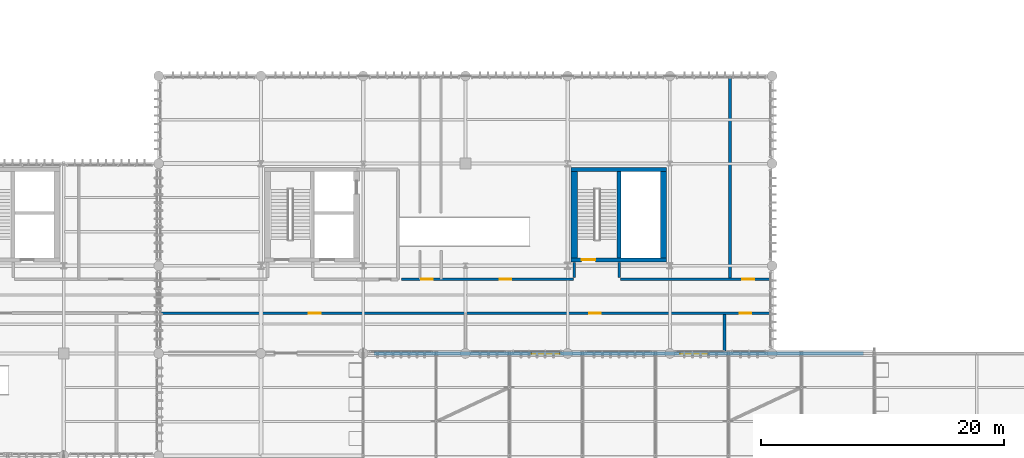
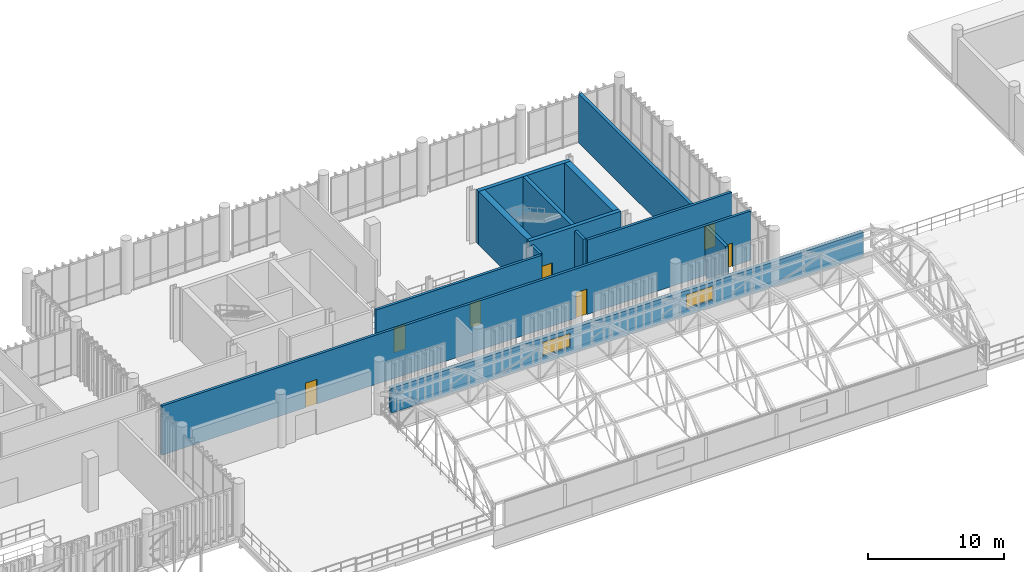
# One storey, part 94 of 109: 13 walls, 7 doors, 2 windows, 9 openings.
"""IFC4 building model written with IfcOpenShell, lengths in metres."""

from ifc_helpers import new_model, si_unit, direction, frame, frame_2d, origin_with_axes, place, context, subcontext, project, spatial, rectangle, extrude, material, layer, layer_set, type_object, element, fill, save


model = new_model("IFC4")

# Units and contexts
model_context = context("Model", 3, precision=1e-05, world=origin_with_axes(), true_north=direction((0.0, 1.0)))
body_context = subcontext(model_context, "Body", "Model", "MODEL_VIEW")
ifc_project = project(units=[si_unit("LENGTHUNIT", "METRE"), si_unit("AREAUNIT", "SQUARE_METRE"), si_unit("VOLUMEUNIT", "CUBIC_METRE"), si_unit("PLANEANGLEUNIT", "RADIAN"), si_unit("MASSUNIT", "GRAM", prefix="KILO"), si_unit("THERMODYNAMICTEMPERATUREUNIT", "KELVIN")], contexts=[model_context])

# Site, building, storey
site_placement = place(None, origin_with_axes())
site = spatial("IfcSite", under=ifc_project, at=site_placement, CompositionType="ELEMENT")
building_placement = place(site_placement, origin_with_axes())
building = spatial("IfcBuilding", under=site, at=building_placement, Name="Montbau Bow Law Courts", CompositionType="ELEMENT")
storey_placement = place(building_placement, frame((0.0, 0.0, 10.8), z_axis=(0.0, 0.0, 1.0), x_axis=(1.0, 0.0, 0.0)))
storey = spatial("IfcBuildingStorey", under=building, at=storey_placement, Name="L02", CompositionType="ELEMENT", Elevation=10.8)

# Walls
ifc_material_1 = material(Name="Concrete CSA A23.1 f'c 45 MPa", Category="concrete")
ifc_layer_1 = layer(ifc_material_1, 0.5, Name="Shear Wall", Category="concrete")
ifc_layer_set_1 = layer_set([ifc_layer_1], Name="Concrete CSA A23.1 f'c 45 MPa")
wall_type_1 = type_object("IfcWallType", Name="W-COR-01", PredefinedType="SHEAR", material=ifc_layer_set_1)
for number, where, z_axis, x_axis, name in (
    (1, (88.26, 46.84, 10.8), (0.0, 0.0, 1.0), (0.0, 1.0, 0.0), "WC-L02-0231:wal_0298"),
    (2, (80.94, 53.96, 10.8), (0.0, 0.0, 1.0), (0.0, -1.0, 0.0), "WC-L02-0232:wal_0299"),
):
    element("IfcWall", number, at=place(None, frame(where, z_axis=z_axis, x_axis=x_axis)), inside=storey, type_object=wall_type_1, Name=name, PredefinedType="SHEAR", context=body_context, shape_type="SweptSolid", body=[
        extrude(rectangle(XDim=7.119999999999997, YDim=0.5, at=frame_2d((3.56, 0.0), x_axis=(1.0, 0.0))), origin_with_axes(), (0.0, 0.0, 1.0), 4.8),
    ])

# Wall, opening, door
ifc_layer_2 = layer(ifc_material_1, 0.32, Name="Shear Wall", Category="concrete")
ifc_layer_set_2 = layer_set([ifc_layer_2], Name="Concrete CSA A23.1 f'c 45 MPa")
wall_type_2 = type_object("IfcWallType", Name="W-COR-05", PredefinedType="SHEAR", material=ifc_layer_set_2)
wall_1_placement = place(None, frame((80.69, 46.68, 10.8), z_axis=(0.0, 0.0, 1.0), x_axis=(1.0, 0.0, 0.0)))
wall_1 = element("IfcWall", 3, at=wall_1_placement, inside=storey, type_object=wall_type_2, Name="WC-L02-0229:wal_0296", PredefinedType="SHEAR", context=body_context, shape_type="SweptSolid", body=[
    extrude(rectangle(XDim=7.820000000000007, YDim=0.32, at=frame_2d((3.91, 0.0), x_axis=(1.0, 0.0))), origin_with_axes(), (0.0, 0.0, 1.0), 4.8),
])
opening_1_placement = place(None, frame((82.11, 46.68, 10.8), z_axis=(0.0, 0.0, 1.0), x_axis=(1.0, 0.0, 0.0)))
opening_1 = element("IfcOpeningElement", 4, at=opening_1_placement, cuts=wall_1, Name="OP-D-L02-ST-P3", PredefinedType="OPENING", context=body_context, shape_type="SweptSolid", body=[
    extrude(rectangle(XDim=1.14, YDim=2.18, at=frame_2d((0.0, 1.09), x_axis=(1.0, 0.0))), frame((0.0, 0.17, 0.0), z_axis=(0.0, -1.0, 0.0), x_axis=(1.0, 0.0, 0.0)), (0.0, 0.0, 1.0), 0.34),
])
ifc_material_2 = material(Name="1.5 h Fire-Rated Hollow-Metal Exit Stair Door", Category="steel")
door_type_1 = type_object("IfcDoorType", Name="D-ST-01", OperationType="NOTDEFINED", ParameterTakesPrecedence=False, PredefinedType="DOOR", material=ifc_material_2)
door_1_placement = place(None, frame((82.11, 46.68, 10.8), z_axis=(0.0, 0.0, 1.0), x_axis=(-1.0, 0.0, 0.0)))
door_1 = element("IfcDoor", 5, at=door_1_placement, inside=storey, type_object=door_type_1, Name="D-L02-ST-P3:dor_0128", OperationType="SINGLE_SWING_RIGHT", OverallHeight=2.18, OverallWidth=1.14, PredefinedType="DOOR", context=body_context, shape_type="SweptSolid", body=[
    extrude(rectangle(XDim=1.14, YDim=2.18, at=frame_2d((0.0, 1.09), x_axis=(1.0, 0.0))), frame((0.0, 0.04, 0.0), z_axis=(0.0, -1.0, 0.0), x_axis=(1.0, 0.0, 0.0)), (0.0, 0.0, 1.0), 0.08),
])
fill(opening_1, door_1)

# Walls
wall_2_placement = place(None, frame((88.51, 54.12, 10.8), z_axis=(0.0, 0.0, 1.0), x_axis=(-1.0, 0.0, 0.0)))
element("IfcWall", 6, at=wall_2_placement, inside=storey, type_object=wall_type_2, Name="WC-L02-0230:wal_0297", PredefinedType="SHEAR", context=body_context, shape_type="SweptSolid", body=[
    extrude(rectangle(XDim=7.820000000000007, YDim=0.32, at=frame_2d((3.91, 0.0), x_axis=(1.0, 0.0))), origin_with_axes(), (0.0, 0.0, 1.0), 4.8),
])
wall_3_placement = place(None, frame((84.62, 46.84, 10.8), z_axis=(0.0, 0.0, 1.0), x_axis=(0.0, 1.0, 0.0)))
element("IfcWall", 7, at=wall_3_placement, inside=storey, type_object=wall_type_2, Name="WS-L02-0233:wal_0300", PredefinedType="SHEAR", context=body_context, shape_type="SweptSolid", body=[
    extrude(rectangle(XDim=7.119999999999997, YDim=0.32, at=frame_2d((3.56, 0.0), x_axis=(1.0, 0.0))), origin_with_axes(), (0.0, 0.0, 1.0), 4.8),
])

# Wall, openings, windows
ifc_material_3 = material(Name="Insulated Clerestory Curb Wall Assembly", Category="masonry")
ifc_layer_3 = layer(ifc_material_3, 0.34, Name="Solid Wall", Category="masonry")
ifc_layer_set_3 = layer_set([ifc_layer_3], Name="Insulated Clerestory Curb Wall Assembly")
wall_type_3 = type_object("IfcWallType", Name="W-EXT-06", PredefinedType="SOLIDWALL", material=ifc_layer_set_3)
wall_4_placement = place(None, frame((64.5, 39.0, 10.48), z_axis=(0.0, 0.0, 1.0), x_axis=(1.0, 0.0, 0.0)))
wall_4 = element("IfcWall", 8, at=wall_4_placement, inside=storey, type_object=wall_type_3, Name="WC-VLT-V4-N:wal_0060", PredefinedType="SOLIDWALL", context=body_context, shape_type="SweptSolid", body=[
    extrude(rectangle(XDim=40.2, YDim=0.34, at=frame_2d((20.1, 0.0), x_axis=(1.0, 0.0))), origin_with_axes(), (0.0, 0.0, 1.0), 2.22),
])
opening_2_placement = place(None, frame((78.6, 39.0, 11.08), z_axis=(0.0, 0.0, 1.0), x_axis=(1.0, 0.0, 0.0)))
opening_2 = element("IfcOpeningElement", 9, at=opening_2_placement, cuts=wall_4, Name="OP-SK-V4-07", PredefinedType="OPENING", context=body_context, shape_type="SweptSolid", body=[
    extrude(rectangle(XDim=2.3, YDim=1.25, at=frame_2d((0.0, 0.625), x_axis=(1.0, 0.0))), frame((0.0, 0.18, 0.0), z_axis=(0.0, -1.0, 0.0), x_axis=(1.0, 0.0, 0.0)), (0.0, 0.0, 1.0), 0.36),
])
opening_3_placement = place(None, frame((90.8, 39.0, 11.08), z_axis=(0.0, 0.0, 1.0), x_axis=(1.0, 0.0, 0.0)))
opening_3 = element("IfcOpeningElement", 10, at=opening_3_placement, cuts=wall_4, Name="OP-SK-V4-08", PredefinedType="OPENING", context=body_context, shape_type="SweptSolid", body=[
    extrude(rectangle(XDim=2.3, YDim=1.25, at=frame_2d((0.0, 0.625), x_axis=(1.0, 0.0))), frame((0.0, 0.18, 0.0), z_axis=(0.0, -1.0, 0.0), x_axis=(1.0, 0.0, 0.0)), (0.0, 0.0, 1.0), 0.36),
])
ifc_material_4 = material(Name="Triple-Glazed Public Hall Lantern Skylight", Category="glass")
window_type = type_object("IfcWindowType", Name="SK-VLT-02", ParameterTakesPrecedence=False, PartitioningType="SINGLE_PANEL", PredefinedType="SKYLIGHT", material=ifc_material_4)
window_1_placement = place(None, frame((78.6, 39.0, 11.08), z_axis=(0.0, 0.0, 1.0), x_axis=(1.0, 0.0, 0.0)))
window_1 = element("IfcWindow", 11, at=window_1_placement, inside=storey, type_object=window_type, Name="SK-V4-07:win_0113", OverallHeight=1.25, OverallWidth=2.3, PartitioningType="SINGLE_PANEL", PredefinedType="SKYLIGHT", context=body_context, shape_type="SweptSolid", body=[
    extrude(rectangle(XDim=2.3, YDim=1.25, at=frame_2d((0.0, 0.625), x_axis=(1.0, 0.0))), frame((0.0, 0.03, 0.0), z_axis=(0.0, -1.0, 0.0), x_axis=(1.0, 0.0, 0.0)), (0.0, 0.0, 1.0), 0.06),
])
fill(opening_2, window_1)
window_2_placement = place(None, frame((90.8, 39.0, 11.08), z_axis=(0.0, 0.0, 1.0), x_axis=(1.0, 0.0, 0.0)))
window_2 = element("IfcWindow", 12, at=window_2_placement, inside=storey, type_object=window_type, Name="SK-V4-08:win_0114", OverallHeight=1.25, OverallWidth=2.3, PartitioningType="SINGLE_PANEL", PredefinedType="SKYLIGHT", context=body_context, shape_type="SweptSolid", body=[
    extrude(rectangle(XDim=2.3, YDim=1.25, at=frame_2d((0.0, 0.625), x_axis=(1.0, 0.0))), frame((0.0, 0.03, 0.0), z_axis=(0.0, -1.0, 0.0), x_axis=(1.0, 0.0, 0.0)), (0.0, 0.0, 1.0), 0.06),
])
fill(opening_3, window_2)

# Walls
ifc_material_5 = material(Name="Double-Stud Acoustic Plumbing Chase Gypsum Assembly", Category="gypsum")
ifc_layer_4 = layer(ifc_material_5, 0.26, Name="Plumbing Wall", Category="gypsum")
ifc_layer_set_4 = layer_set([ifc_layer_4], Name="Double-Stud Acoustic Plumbing Chase Gypsum Assembly")
wall_type_4 = type_object("IfcWallType", Name="W-PLM-01", PredefinedType="PLUMBINGWALL", material=ifc_layer_set_4)
wall_5_placement = place(None, frame((93.74, 45.19, 10.8), z_axis=(0.0, 0.0, 1.0), x_axis=(0.0, 1.0, 0.0)))
element("IfcWall", 13, at=wall_5_placement, inside=storey, type_object=wall_type_4, Name="WD-L02-0750:wal_0817", PredefinedType="PLUMBINGWALL", context=body_context, shape_type="SweptSolid", body=[
    extrude(rectangle(XDim=16.43, YDim=0.26, at=frame_2d((8.215, 0.0), x_axis=(1.0, 0.0))), origin_with_axes(), (0.0, 0.0, 1.0), 4.44),
])
wall_6_placement = place(None, frame((93.29, 39.18, 10.8), z_axis=(0.0, 0.0, 1.0), x_axis=(0.0, 1.0, 0.0)))
element("IfcWall", 14, at=wall_6_placement, inside=storey, type_object=wall_type_4, Name="WD-L02-0751:wal_0818", PredefinedType="PLUMBINGWALL", context=body_context, shape_type="SweptSolid", body=[
    extrude(rectangle(XDim=3.030000000000001, YDim=0.26, at=frame_2d((1.515, 0.0), x_axis=(1.0, 0.0))), origin_with_axes(), (0.0, 0.0, 1.0), 4.44),
])
ifc_material_6 = material(Name="STC-60 High-Acoustic Courtroom Perimeter Partition", Category="gypsum")
ifc_layer_5 = layer(ifc_material_6, 0.22, Name="Partition", Category="gypsum")
ifc_layer_set_5 = layer_set([ifc_layer_5], Name="STC-60 High-Acoustic Courtroom Perimeter Partition")
wall_type_5 = type_object("IfcWallType", Name="W-PRT-02", PredefinedType="PARTITIONING", material=ifc_layer_set_5)
for number, where, z_axis, x_axis, name in (
    (15, (80.94, 45.22, 10.8), (0.0, 0.0, 1.0), (0.0, 1.0, 0.0), "WCX-L02-0743:wal_0810"),
    (16, (84.65, 45.22, 10.8), (0.0, 0.0, 1.0), (0.0, 1.0, 0.0), "WCX-L02-0744:wal_0811"),
):
    element("IfcWall", number, at=place(None, frame(where, z_axis=z_axis, x_axis=x_axis)), inside=storey, type_object=wall_type_5, Name=name, PredefinedType="PARTITIONING", context=body_context, shape_type="SweptSolid", body=[
        extrude(rectangle(XDim=1.259999999999998, YDim=0.22, at=frame_2d((0.63, 0.0), x_axis=(1.0, 0.0))), origin_with_axes(), (0.0, 0.0, 1.0), 4.44),
    ])

# Wall, openings, doors
wall_7_placement = place(None, frame((66.755, 45.09, 10.8), z_axis=(0.0, 0.0, 1.0), x_axis=(1.0, 0.0, 0.0)))
wall_7 = element("IfcWall", 17, at=wall_7_placement, inside=storey, type_object=wall_type_5, Name="WP-L02-0747:wal_0814", PredefinedType="PARTITIONING", context=body_context, shape_type="SweptSolid", body=[
    extrude(rectangle(XDim=14.14500000000001, YDim=0.22, at=frame_2d((7.0725, 0.0), x_axis=(1.0, 0.0))), origin_with_axes(), (0.0, 0.0, 1.0), 4.44),
])
opening_4_placement = place(None, frame((68.84, 45.09, 10.8), z_axis=(0.0, 0.0, 1.0), x_axis=(1.0, 0.0, 0.0)))
opening_4 = element("IfcOpeningElement", 18, at=opening_4_placement, cuts=wall_7, Name="OP-D-L02-306", PredefinedType="OPENING", context=body_context, shape_type="SweptSolid", body=[
    extrude(rectangle(XDim=0.96, YDim=2.2, at=frame_2d((0.0, 1.1), x_axis=(1.0, 0.0))), frame((0.0, 0.12, 0.0), z_axis=(0.0, -1.0, 0.0), x_axis=(1.0, 0.0, 0.0)), (0.0, 0.0, 1.0), 0.24),
])
opening_5_placement = place(None, frame((75.289, 45.09, 10.8), z_axis=(0.0, 0.0, 1.0), x_axis=(1.0, 0.0, 0.0)))
opening_5 = element("IfcOpeningElement", 19, at=opening_5_placement, cuts=wall_7, Name="OP-D-L02-307", PredefinedType="OPENING", context=body_context, shape_type="SweptSolid", body=[
    extrude(rectangle(XDim=0.92, YDim=2.14, at=frame_2d((0.0, 1.07), x_axis=(1.0, 0.0))), frame((0.0, 0.12, 0.0), z_axis=(0.0, -1.0, 0.0), x_axis=(1.0, 0.0, 0.0)), (0.0, 0.0, 1.0), 0.24),
])
ifc_material_7 = material(Name="Resident Judge Chambers Solid White-Oak Door", Category="wood")
door_type_2 = type_object("IfcDoorType", Name="D-CHM-01", OperationType="NOTDEFINED", ParameterTakesPrecedence=False, PredefinedType="DOOR", material=ifc_material_7)
door_2_placement = place(None, frame((68.84, 45.09, 10.8), z_axis=(0.0, 0.0, 1.0), x_axis=(-1.0, 0.0, 0.0)))
door_2 = element("IfcDoor", 20, at=door_2_placement, inside=storey, type_object=door_type_2, Name="D-L02-306:dor_0341", OperationType="SINGLE_SWING_LEFT", OverallHeight=2.2, OverallWidth=0.96, PredefinedType="DOOR", context=body_context, shape_type="SweptSolid", body=[
    extrude(rectangle(XDim=0.96, YDim=2.2, at=frame_2d((0.0, 1.1), x_axis=(1.0, 0.0))), frame((0.0, 0.04, 0.0), z_axis=(0.0, -1.0, 0.0), x_axis=(1.0, 0.0, 0.0)), (0.0, 0.0, 1.0), 0.08),
])
fill(opening_4, door_2)
ifc_material_8 = material(Name="Judicial Law Clerk and Registry Office Oak Door", Category="wood")
door_type_3 = type_object("IfcDoorType", Name="D-OFF-01", OperationType="NOTDEFINED", ParameterTakesPrecedence=False, PredefinedType="DOOR", material=ifc_material_8)
door_3_placement = place(None, frame((75.289, 45.09, 10.8), z_axis=(0.0, 0.0, 1.0), x_axis=(-1.0, 0.0, 0.0)))
door_3 = element("IfcDoor", 21, at=door_3_placement, inside=storey, type_object=door_type_3, Name="D-L02-307:dor_0342", OperationType="SINGLE_SWING_RIGHT", OverallHeight=2.14, OverallWidth=0.92, PredefinedType="DOOR", context=body_context, shape_type="SweptSolid", body=[
    extrude(rectangle(XDim=0.92, YDim=2.14, at=frame_2d((0.0, 1.07), x_axis=(1.0, 0.0))), frame((0.0, 0.04, 0.0), z_axis=(0.0, -1.0, 0.0), x_axis=(1.0, 0.0, 0.0)), (0.0, 0.0, 1.0), 0.08),
])
fill(opening_5, door_3)

# Wall, opening, door
wall_8_placement = place(None, frame((84.75, 45.09, 10.8), z_axis=(0.0, 0.0, 1.0), x_axis=(1.0, 0.0, 0.0)))
wall_8 = element("IfcWall", 22, at=wall_8_placement, inside=storey, type_object=wall_type_5, Name="WP-L02-0748:wal_0815", PredefinedType="PARTITIONING", context=body_context, shape_type="SweptSolid", body=[
    extrude(rectangle(XDim=12.310000000000002, YDim=0.22, at=frame_2d((6.155, 0.0), x_axis=(1.0, 0.0))), origin_with_axes(), (0.0, 0.0, 1.0), 4.44),
])
opening_6_placement = place(None, frame((95.238, 45.09, 10.8), z_axis=(0.0, 0.0, 1.0), x_axis=(1.0, 0.0, 0.0)))
opening_6 = element("IfcOpeningElement", 23, at=opening_6_placement, cuts=wall_8, Name="OP-D-L02-308", PredefinedType="OPENING", context=body_context, shape_type="SweptSolid", body=[
    extrude(rectangle(XDim=0.95, YDim=2.1, at=frame_2d((0.0, 1.05), x_axis=(1.0, 0.0))), frame((0.0, 0.12, 0.0), z_axis=(0.0, -1.0, 0.0), x_axis=(1.0, 0.0, 0.0)), (0.0, 0.0, 1.0), 0.24),
])
ifc_material_9 = material(Name="CSA B651 Universal Barrier-Free Washroom Door", Category="wood")
door_type_4 = type_object("IfcDoorType", Name="D-WC-01", OperationType="NOTDEFINED", ParameterTakesPrecedence=False, PredefinedType="DOOR", material=ifc_material_9)
door_4_placement = place(None, frame((95.238, 45.09, 10.8), z_axis=(0.0, 0.0, 1.0), x_axis=(-1.0, 0.0, 0.0)))
door_4 = element("IfcDoor", 24, at=door_4_placement, inside=storey, type_object=door_type_4, Name="D-L02-308:dor_0343", OperationType="SINGLE_SWING_LEFT", OverallHeight=2.1, OverallWidth=0.95, PredefinedType="DOOR", context=body_context, shape_type="SweptSolid", body=[
    extrude(rectangle(XDim=0.95, YDim=2.1, at=frame_2d((0.0, 1.05), x_axis=(1.0, 0.0))), frame((0.0, 0.04, 0.0), z_axis=(0.0, -1.0, 0.0), x_axis=(1.0, 0.0, 0.0)), (0.0, 0.0, 1.0), 0.08),
])
fill(opening_6, door_4)

# Wall, openings, doors
wall_9_placement = place(None, frame((46.956, 42.31, 10.8), z_axis=(0.0, 0.0, 1.0), x_axis=(1.0, 0.0, 0.0)))
wall_9 = element("IfcWall", 25, at=wall_9_placement, inside=storey, type_object=wall_type_5, Name="WP-L02-0749:wal_0816", PredefinedType="PARTITIONING", context=body_context, shape_type="SweptSolid", body=[
    extrude(rectangle(XDim=50.104, YDim=0.22, at=frame_2d((25.052, 0.0), x_axis=(1.0, 0.0))), origin_with_axes(), (0.0, 0.0, 1.0), 4.44),
])
opening_7_placement = place(None, frame((59.64, 42.31, 10.8), z_axis=(0.0, 0.0, 1.0), x_axis=(1.0, 0.0, 0.0)))
opening_7 = element("IfcOpeningElement", 26, at=opening_7_placement, cuts=wall_9, Name="OP-D-L02-309", PredefinedType="OPENING", context=body_context, shape_type="SweptSolid", body=[
    extrude(rectangle(XDim=0.99, YDim=2.22, at=frame_2d((0.0, 1.11), x_axis=(1.0, 0.0))), frame((0.0, 0.12, 0.0), z_axis=(0.0, -1.0, 0.0), x_axis=(1.0, 0.0, 0.0)), (0.0, 0.0, 1.0), 0.24),
])
opening_8_placement = place(None, frame((82.645, 42.31, 10.8), z_axis=(0.0, 0.0, 1.0), x_axis=(1.0, 0.0, 0.0)))
opening_8 = element("IfcOpeningElement", 27, at=opening_8_placement, cuts=wall_9, Name="OP-D-L02-310", PredefinedType="OPENING", context=body_context, shape_type="SweptSolid", body=[
    extrude(rectangle(XDim=0.94, YDim=2.3, at=frame_2d((0.0, 1.15), x_axis=(1.0, 0.0))), frame((0.0, 0.12, 0.0), z_axis=(0.0, -1.0, 0.0), x_axis=(1.0, 0.0, 0.0)), (0.0, 0.0, 1.0), 0.24),
])
opening_9_placement = place(None, frame((95.013, 42.31, 10.8), z_axis=(0.0, 0.0, 1.0), x_axis=(1.0, 0.0, 0.0)))
opening_9 = element("IfcOpeningElement", 28, at=opening_9_placement, cuts=wall_9, Name="OP-D-L02-311", PredefinedType="OPENING", context=body_context, shape_type="SweptSolid", body=[
    extrude(rectangle(XDim=0.95, YDim=2.1, at=frame_2d((0.0, 1.05), x_axis=(1.0, 0.0))), frame((0.0, 0.12, 0.0), z_axis=(0.0, -1.0, 0.0), x_axis=(1.0, 0.0, 0.0)), (0.0, 0.0, 1.0), 0.24),
])
ifc_material_10 = material(Name="Appellate Justice Suite Solid White-Oak Door", Category="wood")
door_type_5 = type_object("IfcDoorType", Name="D-CHM-02", OperationType="NOTDEFINED", ParameterTakesPrecedence=False, PredefinedType="DOOR", material=ifc_material_10)
door_5_placement = place(None, frame((82.645, 42.31, 10.8), z_axis=(0.0, 0.0, 1.0), x_axis=(1.0, 0.0, 0.0)))
door_5 = element("IfcDoor", 29, at=door_5_placement, inside=storey, type_object=door_type_5, Name="D-L02-310:dor_0345", OperationType="SINGLE_SWING_LEFT", OverallHeight=2.3, OverallWidth=0.94, PredefinedType="DOOR", context=body_context, shape_type="SweptSolid", body=[
    extrude(rectangle(XDim=0.94, YDim=2.3, at=frame_2d((0.0, 1.15), x_axis=(1.0, 0.0))), frame((0.0, 0.04, 0.0), z_axis=(0.0, -1.0, 0.0), x_axis=(1.0, 0.0, 0.0)), (0.0, 0.0, 1.0), 0.08),
])
fill(opening_8, door_5)
ifc_material_11 = material(Name="STC-52 Jury Deliberation Suite Solid-Core Oak Door", Category="wood")
door_type_6 = type_object("IfcDoorType", Name="D-JUR-01", OperationType="NOTDEFINED", ParameterTakesPrecedence=False, PredefinedType="DOOR", material=ifc_material_11)
door_6_placement = place(None, frame((59.64, 42.31, 10.8), z_axis=(0.0, 0.0, 1.0), x_axis=(1.0, 0.0, 0.0)))
door_6 = element("IfcDoor", 30, at=door_6_placement, inside=storey, type_object=door_type_6, Name="D-L02-309:dor_0344", OperationType="SINGLE_SWING_RIGHT", OverallHeight=2.22, OverallWidth=0.99, PredefinedType="DOOR", context=body_context, shape_type="SweptSolid", body=[
    extrude(rectangle(XDim=0.99, YDim=2.22, at=frame_2d((0.0, 1.11), x_axis=(1.0, 0.0))), frame((0.0, 0.04, 0.0), z_axis=(0.0, -1.0, 0.0), x_axis=(1.0, 0.0, 0.0)), (0.0, 0.0, 1.0), 0.08),
])
fill(opening_7, door_6)
door_7_placement = place(None, frame((95.013, 42.31, 10.8), z_axis=(0.0, 0.0, 1.0), x_axis=(1.0, 0.0, 0.0)))
door_7 = element("IfcDoor", 31, at=door_7_placement, inside=storey, type_object=door_type_4, Name="D-L02-311:dor_0346", OperationType="SINGLE_SWING_RIGHT", OverallHeight=2.1, OverallWidth=0.95, PredefinedType="DOOR", context=body_context, shape_type="SweptSolid", body=[
    extrude(rectangle(XDim=0.95, YDim=2.1, at=frame_2d((0.0, 1.05), x_axis=(1.0, 0.0))), frame((0.0, 0.04, 0.0), z_axis=(0.0, -1.0, 0.0), x_axis=(1.0, 0.0, 0.0)), (0.0, 0.0, 1.0), 0.08),
])
fill(opening_9, door_7)

save(model, "model.ifc")
